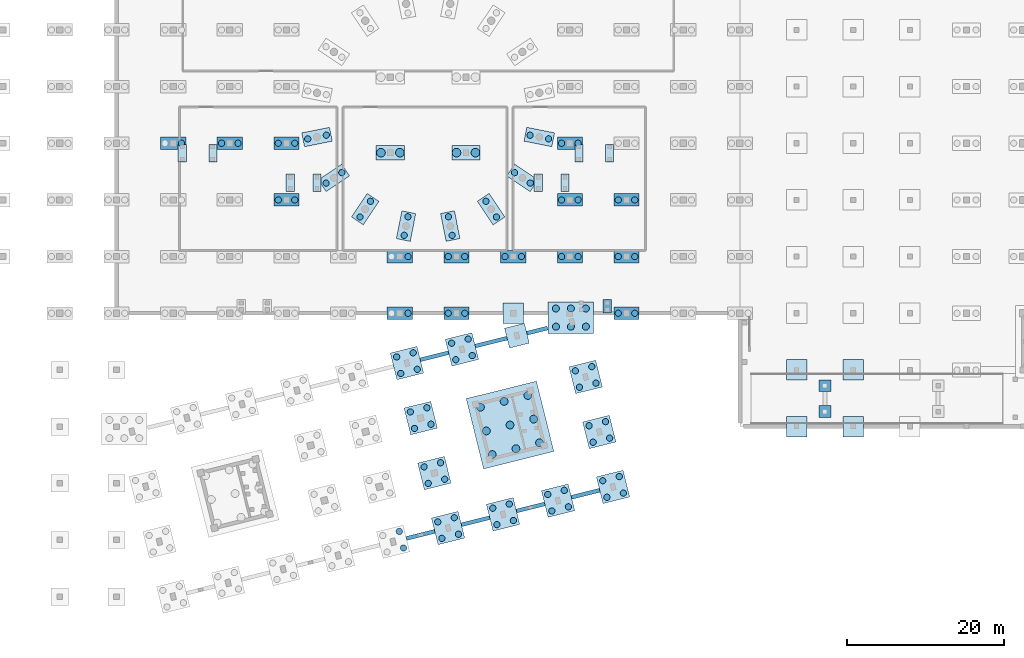
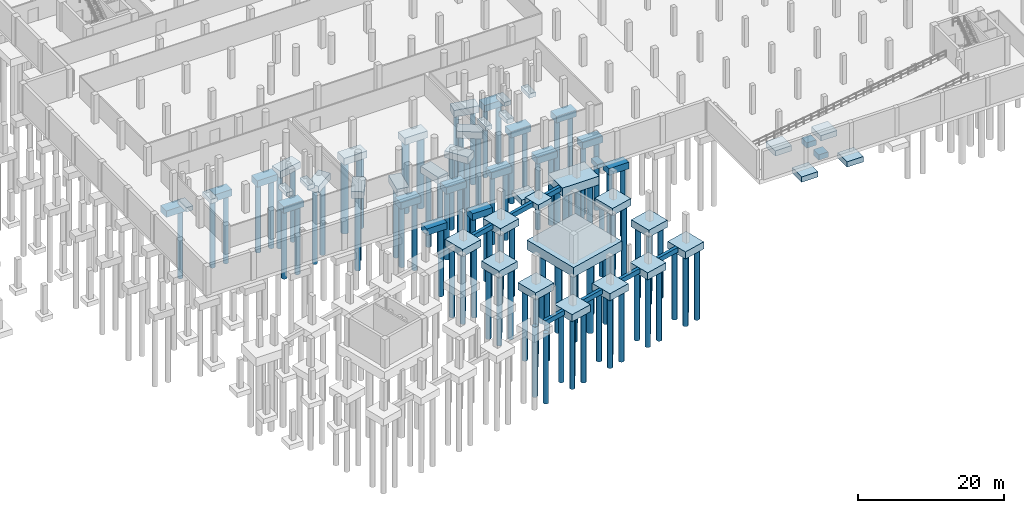
# One storey, part 2 of 19: 104 piles, 61 footings.
"""IFC4 building model written with IfcOpenShell, lengths in metres."""

from ifc_helpers import new_model, si_unit, direction, frame, origin, origin_2d, place, context, subcontext, project, spatial, rectangle, circle, extrude, material, material_profile, profile_set, type_object, element, save


model = new_model("IFC4")

# Units and contexts
model_context = context("Model", 3, precision=1e-05, world=origin(), true_north=direction((0.0, 1.0)))
body_context = subcontext(model_context, "Body", "Model", "MODEL_VIEW")
ifc_project = project(units=[si_unit("LENGTHUNIT", "METRE"), si_unit("AREAUNIT", "SQUARE_METRE"), si_unit("VOLUMEUNIT", "CUBIC_METRE"), si_unit("PLANEANGLEUNIT", "RADIAN"), si_unit("MASSUNIT", "GRAM", prefix="KILO")], contexts=[model_context])

# Site, building, storey
site_placement = place(None, origin())
site = spatial("IfcSite", under=ifc_project, at=site_placement, CompositionType="ELEMENT")
building_placement = place(site_placement, origin())
building = spatial("IfcBuilding", under=site, at=building_placement, Name="Qiaolan Assembly House", CompositionType="ELEMENT")
storey_placement = place(building_placement, frame((0.0, 0.0, -4.800048828125)))
storey = spatial("IfcBuildingStorey", under=building, at=storey_placement, Name="B1", CompositionType="ELEMENT", Elevation=-4.800048828125)

# Footings
ifc_material_1 = material(Name="Concrete C40/50", Category="concrete")
footing_type_1 = type_object("IfcFootingType", Name="FTG-CORE-RAFT-9200x9200", PredefinedType="PILE_CAP", material=ifc_material_1)
footing_1_placement = place(storey_placement, frame((78.797119140625, 21.801025390625, -1.60009765625), z_axis=(0.0, 0.0, 1.0), x_axis=(0.970295726276, 0.2419218956, 0.0)))
element("IfcFooting", 1, at=footing_1_placement, inside=storey, type_object=footing_type_1, Name="PC-01 pile cap CORE-D", PredefinedType="PILE_CAP", context=body_context, shape_type="SweptSolid", body=[
    extrude(rectangle(XDim=9.199951171875, YDim=9.199951171875, at=origin_2d()), origin(), (0.0, 0.0, 1.0), 1.60009765625),
])
ifc_material_profile_1 = material_profile(ifc_material_1, rectangle(XDim=0.5, YDim=0.800048828125, at=origin_2d()), Name="GF 500x800")
ifc_profile_set_1 = profile_set([ifc_material_profile_1], Name="Concrete C40/50")
footing_type_2 = type_object("IfcFootingType", Name="FTG-GB-500x800", PredefinedType="FOOTING_BEAM", material=ifc_profile_set_1)
footing_2_placement = place(storey_placement, frame((65.6455078125, 7.391357421875, -0.39990234375), z_axis=(0.970286175259, 0.241960199416, 0.0), x_axis=(-0.241960199416, 0.970286175259, 0.0)))
element("IfcFooting", 2, at=footing_2_placement, inside=storey, type_object=footing_type_2, Name="GF-02 ground tie beam SE-0-4", PredefinedType="FOOTING_BEAM", context=body_context, shape_type="SweptSolid", body=[
    extrude(rectangle(XDim=0.5, YDim=0.800048828125, at=origin_2d()), origin(), (0.0, 0.0, 1.0), 3.694091796875),
])
footing_3_placement = place(storey_placement, frame((72.631591796875, 9.13330078125, -0.39990234375), z_axis=(0.970301689805, 0.241897975934, 0.0), x_axis=(-0.241897975934, 0.970301689805, 0.0)))
element("IfcFooting", 3, at=footing_3_placement, inside=storey, type_object=footing_type_2, Name="GF-02 ground tie beam SE-0-5", PredefinedType="FOOTING_BEAM", context=body_context, shape_type="SweptSolid", body=[
    extrude(rectangle(XDim=0.5, YDim=0.800048828125, at=origin_2d()), origin(), (0.0, 0.0, 1.0), 3.69384765625),
])
footing_4_placement = place(storey_placement, frame((79.61767578125, 10.875, -0.39990234375), z_axis=(0.970286175259, 0.241960199416, 0.0), x_axis=(-0.241960199416, 0.970286175259, 0.0)))
element("IfcFooting", 4, at=footing_4_placement, inside=storey, type_object=footing_type_2, Name="GF-02 ground tie beam SE-0-6", PredefinedType="FOOTING_BEAM", context=body_context, shape_type="SweptSolid", body=[
    extrude(rectangle(XDim=0.5, YDim=0.800048828125, at=origin_2d()), origin(), (0.0, 0.0, 1.0), 3.694091796875),
])
footing_5_placement = place(storey_placement, frame((86.603759765625, 12.616943359375, -0.39990234375), z_axis=(0.970301689805, 0.241897975934, 0.0), x_axis=(-0.241897975934, 0.970301689805, 0.0)))
element("IfcFooting", 5, at=footing_5_placement, inside=storey, type_object=footing_type_2, Name="GF-02 ground tie beam SE-0-7", PredefinedType="FOOTING_BEAM", context=body_context, shape_type="SweptSolid", body=[
    extrude(rectangle(XDim=0.5, YDim=0.800048828125, at=origin_2d()), origin(), (0.0, 0.0, 1.0), 3.69384765625),
])
footing_6_placement = place(storey_placement, frame((67.406005859375, 30.091552734375, -0.39990234375), z_axis=(0.970286175259, 0.241960199416, 0.0), x_axis=(-0.241960199416, 0.970286175259, 0.0)))
element("IfcFooting", 6, at=footing_6_placement, inside=storey, type_object=footing_type_2, Name="GF-02 ground tie beam SE-21-5", PredefinedType="FOOTING_BEAM", context=body_context, shape_type="SweptSolid", body=[
    extrude(rectangle(XDim=0.5, YDim=0.800048828125, at=origin_2d()), origin(), (0.0, 0.0, 1.0), 3.694091796875),
])
footing_7_placement = place(storey_placement, frame((74.39208984375, 31.83349609375, -0.39990234375), z_axis=(0.970301702992, 0.241897923041, 0.0), x_axis=(-0.241897923041, 0.970301702992, 0.0)))
element("IfcFooting", 7, at=footing_7_placement, inside=storey, type_object=footing_type_2, Name="GF-02 ground tie beam SE-21-6", PredefinedType="FOOTING_BEAM", context=body_context, shape_type="SweptSolid", body=[
    extrude(rectangle(XDim=0.5, YDim=0.800048828125, at=origin_2d()), origin(), (0.0, 0.0, 1.0), 4.14404296875),
])
footing_8_placement = place(storey_placement, frame((80.941650390625, 33.466552734375, -0.39990234375), z_axis=(0.970301574361, 0.241898439004, 0.0), x_axis=(-0.241898439004, 0.970301574361, 0.0)))
element("IfcFooting", 8, at=footing_8_placement, inside=storey, type_object=footing_type_2, Name="GF-02 ground tie beam SE-21-7", PredefinedType="FOOTING_BEAM", context=body_context, shape_type="SweptSolid", body=[
    extrude(rectangle(XDim=0.5, YDim=0.800048828125, at=origin_2d()), origin(), (0.0, 0.0, 1.0), 2.704833984375),
])
footing_type_3 = type_object("IfcFootingType", Name="FTG-PAD-1500x1500", PredefinedType="PAD_FOOTING", material=ifc_material_1)
for number, where, z_axis, x_axis, name in (
    (9, (118.800048828125, 23.5, -0.89990234375), (0.0, 0.0, 1.0), (1.0, 0.0, 0.0), "PF-05 vehicle ramp pad footing 2"),
    (10, (118.800048828125, 26.800048828125, -0.89990234375), (0.0, 0.0, 1.0), (1.0, 0.0, 0.0), "PF-05 vehicle ramp pad footing 2"),
):
    element("IfcFooting", number, at=place(storey_placement, frame(where, z_axis=z_axis, x_axis=x_axis)), inside=storey, type_object=footing_type_3, Name=name, PredefinedType="PAD_FOOTING", context=body_context, shape_type="SweptSolid", body=[
        extrude(rectangle(XDim=1.5, YDim=1.5, at=origin_2d()), origin(), (0.0, 0.0, 1.0), 0.89990234375),
    ])
footing_type_4 = type_object("IfcFootingType", Name="FTG-PAD-2600x2600", PredefinedType="PAD_FOOTING", material=ifc_material_1)
for number, where, z_axis, x_axis, name in (
    (11, (79.677490234375, 33.1513671875, -0.89990234375), (0.0, 0.0, 1.0), (0.970295726276, 0.2419218956, 0.0), "PF-02 splayed pad footing SE-07-03"),
    (12, (79.199951171875, 36.0, -1.64990234375), (0.0, 0.0, 1.0), (1.0, 0.0, 0.0), "PF-02 hall south pad footing HL-08-00"),
    (13, (115.199951171875, 21.60009765625, -1.64990234375), (0.0, 0.0, 1.0), (1.0, 0.0, 0.0), "PF-02 cloister/carpark pad footing 0-0"),
    (14, (115.199951171875, 28.800048828125, -1.64990234375), (0.0, 0.0, 1.0), (1.0, 0.0, 0.0), "PF-02 cloister/carpark pad footing 0-1"),
    (15, (122.39990234375, 21.60009765625, -1.64990234375), (0.0, 0.0, 1.0), (1.0, 0.0, 0.0), "PF-02 cloister/carpark pad footing 1-0"),
    (16, (122.39990234375, 28.800048828125, -1.64990234375), (0.0, 0.0, 1.0), (1.0, 0.0, 0.0), "PF-02 cloister/carpark pad footing 1-1"),
):
    element("IfcFooting", number, at=place(storey_placement, frame(where, z_axis=z_axis, x_axis=x_axis)), inside=storey, type_object=footing_type_4, Name=name, PredefinedType="PAD_FOOTING", context=body_context, shape_type="SweptSolid", body=[
        extrude(rectangle(XDim=2.60009765625, YDim=2.60009765625, at=origin_2d()), origin(), (0.0, 0.0, 1.0), 0.89990234375),
    ])
footing_type_5 = type_object("IfcFootingType", Name="FTG-PAD-3000x2400", PredefinedType="PAD_FOOTING", material=ifc_material_1)
for number, where, z_axis, x_axis, name in (
    (17, (37.14990234375, 56.344970703125, -0.75), (0.0, 0.0, 1.0), (1.0, 0.0, 0.0), "PF-04 ceremonial stair combined footing ST-H1-1"),
    (18, (41.050048828125, 56.344970703125, -0.75), (0.0, 0.0, 1.0), (1.0, 0.0, 0.0), "PF-04 ceremonial stair combined footing ST-H1-2"),
    (19, (87.550048828125, 56.344970703125, -0.75), (0.0, 0.0, 1.0), (1.0, 0.0, 0.0), "PF-04 ceremonial stair combined footing ST-H2-1"),
    (20, (91.449951171875, 56.344970703125, -0.75), (0.0, 0.0, 1.0), (1.0, 0.0, 0.0), "PF-04 ceremonial stair combined footing ST-H2-2"),
    (21, (50.8798828125, 52.590087890625, -0.75), (0.0, 0.0, 1.0), (1.0, 0.0, 0.0), "PF-04 gallery stair combined footing ST-G1-1"),
    (22, (54.280029296875, 52.590087890625, -0.75), (0.0, 0.0, 1.0), (1.0, 0.0, 0.0), "PF-04 gallery stair combined footing ST-G1-2"),
    (23, (82.3798828125, 52.590087890625, -0.75), (0.0, 0.0, 1.0), (1.0, 0.0, 0.0), "PF-04 gallery stair combined footing ST-G2-1"),
    (24, (85.780029296875, 52.590087890625, -0.75), (0.0, 0.0, 1.0), (1.0, 0.0, 0.0), "PF-04 gallery stair combined footing ST-G2-2"),
):
    element("IfcFooting", number, at=place(storey_placement, frame(where, z_axis=z_axis, x_axis=x_axis)), inside=storey, type_object=footing_type_5, Name=name, PredefinedType="PAD_FOOTING", context=body_context, shape_type="SweptSolid", body=[
        extrude(rectangle(XDim=1.050048828125, YDim=2.25, at=origin_2d()), origin(), (0.0, 0.0, 1.0), 0.699951171875),
    ])
footing_9_placement = place(storey_placement, frame((91.14990234375, 36.8798828125, -0.75), z_axis=(0.0, 0.0, 1.0), x_axis=(1.0, 0.0, 0.0)))
element("IfcFooting", 25, at=footing_9_placement, inside=storey, type_object=footing_type_5, Name="PF-04 foyer stair combined footing F2-2", PredefinedType="PAD_FOOTING", context=body_context, shape_type="SweptSolid", body=[
    extrude(rectangle(XDim=1.050048828125, YDim=1.75, at=origin_2d()), origin(), (0.0, 0.0, 1.0), 0.699951171875),
])
footing_type_6 = type_object("IfcFootingType", Name="FTG-PC-2P-3200x1600", PredefinedType="PILE_CAP", material=ifc_material_1)
for number, where, z_axis, x_axis, name in (
    (26, (36.0, 57.60009765625, -1.85009765625), (0.0, 0.0, 1.0), (1.0, 0.0, 0.0), "PC-07 pile cap HL-02-03"),
    (27, (43.199951171875, 57.60009765625, -1.85009765625), (0.0, 0.0, 1.0), (1.0, 0.0, 0.0), "PC-07 pile cap HL-03-03"),
    (28, (50.39990234375, 50.39990234375, -1.85009765625), (0.0, 0.0, 1.0), (1.0, 0.0, 0.0), "PC-07 pile cap HL-04-02"),
    (29, (50.39990234375, 57.60009765625, -1.85009765625), (0.0, 0.0, 1.0), (1.0, 0.0, 0.0), "PC-07 pile cap HL-04-03"),
    (30, (64.800048828125, 36.0, -1.85009765625), (0.0, 0.0, 1.0), (1.0, 0.0, 0.0), "PC-07 pile cap HL-06-00"),
    (31, (64.800048828125, 43.199951171875, -1.85009765625), (0.0, 0.0, 1.0), (1.0, 0.0, 0.0), "PC-07 pile cap HL-06-01"),
    (32, (72.0, 36.0, -1.85009765625), (0.0, 0.0, 1.0), (1.0, 0.0, 0.0), "PC-07 pile cap HL-07-00"),
    (33, (72.0, 43.199951171875, -1.85009765625), (0.0, 0.0, 1.0), (1.0, 0.0, 0.0), "PC-07 pile cap HL-07-01"),
    (34, (79.199951171875, 43.199951171875, -1.85009765625), (0.0, 0.0, 1.0), (1.0, 0.0, 0.0), "PC-07 pile cap HL-08-01"),
    (35, (86.39990234375, 43.199951171875, -1.85009765625), (0.0, 0.0, 1.0), (1.0, 0.0, 0.0), "PC-07 pile cap HL-09-01"),
    (36, (86.39990234375, 50.39990234375, -1.85009765625), (0.0, 0.0, 1.0), (1.0, 0.0, 0.0), "PC-07 pile cap HL-09-02"),
    (37, (86.39990234375, 57.60009765625, -1.85009765625), (0.0, 0.0, 1.0), (1.0, 0.0, 0.0), "PC-07 pile cap HL-09-03"),
    (38, (93.60009765625, 36.0, -1.85009765625), (0.0, 0.0, 1.0), (1.0, 0.0, 0.0), "PC-07 pile cap HL-10-00"),
    (39, (93.60009765625, 43.199951171875, -1.85009765625), (0.0, 0.0, 1.0), (1.0, 0.0, 0.0), "PC-07 pile cap HL-10-01"),
    (40, (93.60009765625, 50.39990234375, -1.85009765625), (0.0, 0.0, 1.0), (1.0, 0.0, 0.0), "PC-07 pile cap HL-10-02"),
):
    element("IfcFooting", number, at=place(storey_placement, frame(where, z_axis=z_axis, x_axis=x_axis)), inside=storey, type_object=footing_type_6, Name=name, PredefinedType="PILE_CAP", context=body_context, shape_type="SweptSolid", body=[
        extrude(rectangle(XDim=3.199951171875, YDim=1.60009765625, at=origin_2d()), origin(), (0.0, 0.0, 1.0), 1.10009765625),
    ])
footing_type_7 = type_object("IfcFootingType", Name="FTG-PC-2P-3600x1800", PredefinedType="PILE_CAP", material=ifc_material_1)
for number, where, z_axis, x_axis, name in (
    (41, (54.276611328125, 58.390625, -1.89990234375), (0.0, 0.0, 1.0), (-0.98078527548, -0.195090346769, 0.0), "PC-06 pile cap DRUM-08"),
    (42, (56.4267578125, 53.19970703125, -1.89990234375), (0.0, 0.0, 1.0), (-0.831469614765, -0.555570229334, 0.0), "PC-06 pile cap DRUM-09"),
    (43, (60.39990234375, 49.226806640625, -1.89990234375), (0.0, 0.0, 1.0), (-0.555570229334, -0.831469614765, 0.0), "PC-06 pile cap DRUM-10"),
    (44, (65.5908203125, 47.07666015625, -1.89990234375), (0.0, 0.0, 1.0), (-0.195090346769, -0.98078527548, 0.0), "PC-06 pile cap DRUM-11"),
    (45, (71.209228515625, 47.07666015625, -1.89990234375), (0.0, 0.0, 1.0), (0.195090346769, -0.98078527548, 0.0), "PC-06 pile cap DRUM-12"),
    (46, (76.400146484375, 49.226806640625, -1.89990234375), (0.0, 0.0, 1.0), (0.555570229334, -0.831469614765, 0.0), "PC-06 pile cap DRUM-13"),
    (47, (80.373046875, 53.19970703125, -1.89990234375), (0.0, 0.0, 1.0), (0.831469614765, -0.555570229334, 0.0), "PC-06 pile cap DRUM-14"),
    (48, (82.523193359375, 58.390625, -1.89990234375), (0.0, 0.0, 1.0), (0.98078527548, -0.195090346769, 0.0), "PC-06 pile cap DRUM-15"),
    (49, (63.60009765625, 56.39990234375, -1.89990234375), (0.0, 0.0, 1.0), (1.0, 0.0, 0.0), "PC-06 pile cap UC-00"),
    (50, (73.199951171875, 56.39990234375, -1.89990234375), (0.0, 0.0, 1.0), (1.0, 0.0, 0.0), "PC-06 pile cap UC-01"),
):
    element("IfcFooting", number, at=place(storey_placement, frame(where, z_axis=z_axis, x_axis=x_axis)), inside=storey, type_object=footing_type_7, Name=name, PredefinedType="PILE_CAP", context=body_context, shape_type="SweptSolid", body=[
        extrude(rectangle(XDim=3.60009765625, YDim=1.800048828125, at=origin_2d()), origin(), (0.0, 0.0, 1.0), 1.14990234375),
    ])
footing_type_8 = type_object("IfcFootingType", Name="FTG-PC-4P-3500x3500", PredefinedType="PILE_CAP", material=ifc_material_1)
for number, where, z_axis, x_axis, name in (
    (51, (70.9306640625, 8.709228515625, -1.19970703125), (0.0, 0.0, 1.0), (0.970295726276, 0.2419218956, 0.0), "PC-05 pile cap SE-05-00"),
    (52, (69.188720703125, 15.6953125, -1.19970703125), (0.0, 0.0, 1.0), (0.970295726276, 0.2419218956, 0.0), "PC-05 pile cap SE-05-01"),
    (53, (67.447021484375, 22.681396484375, -1.19970703125), (0.0, 0.0, 1.0), (0.970295726276, 0.2419218956, 0.0), "PC-05 pile cap SE-05-02"),
    (54, (65.705078125, 29.66748046875, -1.19970703125), (0.0, 0.0, 1.0), (0.970295726276, 0.2419218956, 0.0), "PC-05 pile cap SE-05-03"),
    (55, (77.916748046875, 10.450927734375, -1.19970703125), (0.0, 0.0, 1.0), (0.970295726276, 0.2419218956, 0.0), "PC-05 pile cap SE-06-00"),
    (56, (72.691162109375, 31.409423828125, -1.19970703125), (0.0, 0.0, 1.0), (0.970295726276, 0.2419218956, 0.0), "PC-05 pile cap SE-06-03"),
    (57, (84.90283203125, 12.19287109375, -1.19970703125), (0.0, 0.0, 1.0), (0.970295726276, 0.2419218956, 0.0), "PC-05 pile cap SE-07-00"),
    (58, (91.888916015625, 13.934814453125, -1.19970703125), (0.0, 0.0, 1.0), (0.970295726276, 0.2419218956, 0.0), "PC-05 pile cap SE-08-00"),
    (59, (90.147216796875, 20.9208984375, -1.19970703125), (0.0, 0.0, 1.0), (0.970295726276, 0.2419218956, 0.0), "PC-05 pile cap SE-08-01"),
    (60, (88.4052734375, 27.906982421875, -1.19970703125), (0.0, 0.0, 1.0), (0.970295726276, 0.2419218956, 0.0), "PC-05 pile cap SE-08-02"),
):
    element("IfcFooting", number, at=place(storey_placement, frame(where, z_axis=z_axis, x_axis=x_axis)), inside=storey, type_object=footing_type_8, Name=name, PredefinedType="PILE_CAP", context=body_context, shape_type="SweptSolid", body=[
        extrude(rectangle(XDim=3.5, YDim=3.5, at=origin_2d()), origin(), (0.0, 0.0, 1.0), 1.199951171875),
    ])
footing_type_9 = type_object("IfcFootingType", Name="FTG-PC-6P-5800x4000", PredefinedType="PILE_CAP", material=ifc_material_1)
footing_10_placement = place(storey_placement, frame((86.530029296875, 35.449951171875, -1.44970703125), z_axis=(0.0, 0.0, 1.0), x_axis=(1.0, 0.0, 0.0)))
element("IfcFooting", 61, at=footing_10_placement, inside=storey, type_object=footing_type_9, Name="PC-02 pile cap COMB-HL09-SE08", PredefinedType="PILE_CAP", context=body_context, shape_type="SweptSolid", body=[
    extrude(rectangle(XDim=5.800048828125, YDim=4.0, at=origin_2d()), origin(), (0.0, 0.0, 1.0), 1.449951171875),
])

# Piles
ifc_material_2 = material(Name="Concrete C45/55", Category="concrete")
ifc_material_profile_2 = material_profile(ifc_material_2, circle(Radius=0.5, at=origin_2d()), Name="PILE D1000")
ifc_profile_set_2 = profile_set([ifc_material_profile_2], Name="Concrete C45/55")
pile_type_1 = type_object("IfcPileType", Name="PILE-BORED-D1000", PredefinedType="BORED", material=ifc_profile_set_2)
for number, where, z_axis, x_axis, name in (
    (62, (76.5390625, 18.043212890625, -1.5), (0.0, 0.0, -1.0), (1.0, 0.0, 0.0), "BP-03 rock-socketed pile CORE-D-1"),
    (63, (75.7890625, 21.05126953125, -1.5), (0.0, 0.0, -1.0), (1.0, 0.0, 0.0), "BP-03 rock-socketed pile CORE-D-2"),
    (64, (75.039306640625, 24.05908203125, -1.5), (0.0, 0.0, -1.0), (1.0, 0.0, 0.0), "BP-03 rock-socketed pile CORE-D-3"),
    (65, (79.547119140625, 18.793212890625, -1.5), (0.0, 0.0, -1.0), (1.0, 0.0, 0.0), "BP-03 rock-socketed pile CORE-D-4"),
    (66, (78.797119140625, 21.801025390625, -1.5), (0.0, 0.0, -1.0), (1.0, 0.0, 0.0), "BP-03 rock-socketed pile CORE-D-5"),
    (67, (78.047119140625, 24.80908203125, -1.5), (0.0, 0.0, -1.0), (1.0, 0.0, 0.0), "BP-03 rock-socketed pile CORE-D-6"),
    (68, (82.554931640625, 19.543212890625, -1.5), (0.0, 0.0, -1.0), (1.0, 0.0, 0.0), "BP-03 rock-socketed pile CORE-D-7"),
    (69, (81.804931640625, 22.551025390625, -1.5), (0.0, 0.0, -1.0), (1.0, 0.0, 0.0), "BP-03 rock-socketed pile CORE-D-8"),
    (70, (81.054931640625, 25.55908203125, -1.5), (0.0, 0.0, -1.0), (1.0, 0.0, 0.0), "BP-03 rock-socketed pile CORE-D-9"),
):
    element("IfcPile", number, at=place(storey_placement, frame(where, z_axis=z_axis, x_axis=x_axis)), inside=storey, type_object=pile_type_1, Name=name, PredefinedType="BORED", context=body_context, shape_type="SweptSolid", body=[
        extrude(circle(Radius=0.5, at=origin_2d()), origin(), (0.0, 0.0, 1.0), 12.199951171875),
    ])
ifc_material_profile_3 = material_profile(ifc_material_2, circle(Radius=0.550048828125, at=origin_2d()), Name="PILE D1100")
ifc_profile_set_3 = profile_set([ifc_material_profile_3], Name="Concrete C45/55")
pile_type_2 = type_object("IfcPileType", Name="PILE-BORED-D1100", PredefinedType="BORED", material=ifc_profile_set_3)
for number, where, z_axis, x_axis, name in (
    (71, (62.39990234375, 56.39990234375, -1.800048828125), (0.0, 0.0, -1.0), (1.0, 0.0, 0.0), "BP-04 rock-socketed pile UC-00-1"),
    (72, (64.800048828125, 56.39990234375, -1.800048828125), (0.0, 0.0, -1.0), (1.0, 0.0, 0.0), "BP-04 rock-socketed pile UC-00-2"),
    (73, (72.0, 56.39990234375, -1.800048828125), (0.0, 0.0, -1.0), (1.0, 0.0, 0.0), "BP-04 rock-socketed pile UC-01-1"),
    (74, (74.39990234375, 56.39990234375, -1.800048828125), (0.0, 0.0, -1.0), (1.0, 0.0, 0.0), "BP-04 rock-socketed pile UC-01-2"),
):
    element("IfcPile", number, at=place(storey_placement, frame(where, z_axis=z_axis, x_axis=x_axis)), inside=storey, type_object=pile_type_2, Name=name, PredefinedType="BORED", context=body_context, shape_type="SweptSolid", body=[
        extrude(circle(Radius=0.550048828125, at=origin_2d()), origin(), (0.0, 0.0, 1.0), 12.0),
    ])
ifc_material_profile_4 = material_profile(ifc_material_2, circle(Radius=0.39990234375, at=origin_2d()), Name="PILE D800")
ifc_profile_set_4 = profile_set([ifc_material_profile_4], Name="Concrete C45/55")
pile_type_3 = type_object("IfcPileType", Name="PILE-BORED-D800", PredefinedType="BORED", material=ifc_profile_set_4)
for number, where, z_axis, x_axis, name in (
    (75, (65.253662109375, 6.1806640625, -1.099853515625), (0.0, 0.0, -1.0), (1.0, 0.0, 0.0), "BP-01 rock-socketed pile SE-04-00-2"),
    (76, (64.731201171875, 8.276611328125, -1.099853515625), (0.0, 0.0, -1.0), (1.0, 0.0, 0.0), "BP-01 rock-socketed pile SE-04-00-3"),
    (77, (70.14404296875, 7.39990234375, -1.099853515625), (0.0, 0.0, -1.0), (1.0, 0.0, 0.0), "BP-01 rock-socketed pile SE-05-00-1"),
    (78, (72.23974609375, 7.922607421875, -1.099853515625), (0.0, 0.0, -1.0), (1.0, 0.0, 0.0), "BP-01 rock-socketed pile SE-05-00-2"),
    (79, (71.71728515625, 10.018310546875, -1.099853515625), (0.0, 0.0, -1.0), (1.0, 0.0, 0.0), "BP-01 rock-socketed pile SE-05-00-3"),
    (80, (69.621337890625, 9.495849609375, -1.099853515625), (0.0, 0.0, -1.0), (1.0, 0.0, 0.0), "BP-01 rock-socketed pile SE-05-00-4"),
    (81, (68.402099609375, 14.38623046875, -1.099853515625), (0.0, 0.0, -1.0), (1.0, 0.0, 0.0), "BP-01 rock-socketed pile SE-05-01-1"),
    (82, (70.498046875, 14.90869140625, -1.099853515625), (0.0, 0.0, -1.0), (1.0, 0.0, 0.0), "BP-01 rock-socketed pile SE-05-01-2"),
    (83, (69.975341796875, 17.00439453125, -1.099853515625), (0.0, 0.0, -1.0), (1.0, 0.0, 0.0), "BP-01 rock-socketed pile SE-05-01-3"),
    (84, (67.879638671875, 16.48193359375, -1.099853515625), (0.0, 0.0, -1.0), (1.0, 0.0, 0.0), "BP-01 rock-socketed pile SE-05-01-4"),
    (85, (66.660400390625, 21.372314453125, -1.099853515625), (0.0, 0.0, -1.0), (1.0, 0.0, 0.0), "BP-01 rock-socketed pile SE-05-02-1"),
    (86, (68.756103515625, 21.894775390625, -1.099853515625), (0.0, 0.0, -1.0), (1.0, 0.0, 0.0), "BP-01 rock-socketed pile SE-05-02-2"),
    (87, (68.233642578125, 23.99072265625, -1.099853515625), (0.0, 0.0, -1.0), (1.0, 0.0, 0.0), "BP-01 rock-socketed pile SE-05-02-3"),
    (88, (66.1376953125, 23.468017578125, -1.099853515625), (0.0, 0.0, -1.0), (1.0, 0.0, 0.0), "BP-01 rock-socketed pile SE-05-02-4"),
    (89, (64.91845703125, 28.3583984375, -1.099853515625), (0.0, 0.0, -1.0), (1.0, 0.0, 0.0), "BP-01 rock-socketed pile SE-05-03-1"),
    (90, (67.014404296875, 28.880859375, -1.099853515625), (0.0, 0.0, -1.0), (1.0, 0.0, 0.0), "BP-01 rock-socketed pile SE-05-03-2"),
    (91, (66.49169921875, 30.976806640625, -1.099853515625), (0.0, 0.0, -1.0), (1.0, 0.0, 0.0), "BP-01 rock-socketed pile SE-05-03-3"),
    (92, (64.39599609375, 30.4541015625, -1.099853515625), (0.0, 0.0, -1.0), (1.0, 0.0, 0.0), "BP-01 rock-socketed pile SE-05-03-4"),
    (93, (77.130126953125, 9.141845703125, -1.099853515625), (0.0, 0.0, -1.0), (1.0, 0.0, 0.0), "BP-01 rock-socketed pile SE-06-00-1"),
    (94, (79.22607421875, 9.664306640625, -1.099853515625), (0.0, 0.0, -1.0), (1.0, 0.0, 0.0), "BP-01 rock-socketed pile SE-06-00-2"),
    (95, (78.703369140625, 11.76025390625, -1.099853515625), (0.0, 0.0, -1.0), (1.0, 0.0, 0.0), "BP-01 rock-socketed pile SE-06-00-3"),
    (96, (76.607666015625, 11.237548828125, -1.099853515625), (0.0, 0.0, -1.0), (1.0, 0.0, 0.0), "BP-01 rock-socketed pile SE-06-00-4"),
    (97, (71.904541015625, 30.10009765625, -1.099853515625), (0.0, 0.0, -1.0), (1.0, 0.0, 0.0), "BP-01 rock-socketed pile SE-06-03-1"),
    (98, (74.00048828125, 30.622802734375, -1.099853515625), (0.0, 0.0, -1.0), (1.0, 0.0, 0.0), "BP-01 rock-socketed pile SE-06-03-2"),
    (99, (73.47802734375, 32.718505859375, -1.099853515625), (0.0, 0.0, -1.0), (1.0, 0.0, 0.0), "BP-01 rock-socketed pile SE-06-03-3"),
    (100, (71.382080078125, 32.196044921875, -1.099853515625), (0.0, 0.0, -1.0), (1.0, 0.0, 0.0), "BP-01 rock-socketed pile SE-06-03-4"),
    (101, (84.1162109375, 10.8837890625, -1.099853515625), (0.0, 0.0, -1.0), (1.0, 0.0, 0.0), "BP-01 rock-socketed pile SE-07-00-1"),
    (102, (86.212158203125, 11.40625, -1.099853515625), (0.0, 0.0, -1.0), (1.0, 0.0, 0.0), "BP-01 rock-socketed pile SE-07-00-2"),
    (103, (85.689453125, 13.501953125, -1.099853515625), (0.0, 0.0, -1.0), (1.0, 0.0, 0.0), "BP-01 rock-socketed pile SE-07-00-3"),
    (104, (83.59375, 12.9794921875, -1.099853515625), (0.0, 0.0, -1.0), (1.0, 0.0, 0.0), "BP-01 rock-socketed pile SE-07-00-4"),
    (105, (91.102294921875, 12.62548828125, -1.099853515625), (0.0, 0.0, -1.0), (1.0, 0.0, 0.0), "BP-01 rock-socketed pile SE-08-00-1"),
    (106, (93.1982421875, 13.14794921875, -1.099853515625), (0.0, 0.0, -1.0), (1.0, 0.0, 0.0), "BP-01 rock-socketed pile SE-08-00-2"),
    (107, (92.67578125, 15.243896484375, -1.099853515625), (0.0, 0.0, -1.0), (1.0, 0.0, 0.0), "BP-01 rock-socketed pile SE-08-00-3"),
    (108, (90.579833984375, 14.721435546875, -1.099853515625), (0.0, 0.0, -1.0), (1.0, 0.0, 0.0), "BP-01 rock-socketed pile SE-08-00-4"),
    (109, (89.360595703125, 19.611572265625, -1.099853515625), (0.0, 0.0, -1.0), (1.0, 0.0, 0.0), "BP-01 rock-socketed pile SE-08-01-1"),
    (110, (91.456298828125, 20.13427734375, -1.099853515625), (0.0, 0.0, -1.0), (1.0, 0.0, 0.0), "BP-01 rock-socketed pile SE-08-01-2"),
    (111, (90.933837890625, 22.22998046875, -1.099853515625), (0.0, 0.0, -1.0), (1.0, 0.0, 0.0), "BP-01 rock-socketed pile SE-08-01-3"),
    (112, (88.837890625, 21.70751953125, -1.099853515625), (0.0, 0.0, -1.0), (1.0, 0.0, 0.0), "BP-01 rock-socketed pile SE-08-01-4"),
    (113, (87.61865234375, 26.59765625, -1.099853515625), (0.0, 0.0, -1.0), (1.0, 0.0, 0.0), "BP-01 rock-socketed pile SE-08-02-1"),
    (114, (89.714599609375, 27.120361328125, -1.099853515625), (0.0, 0.0, -1.0), (1.0, 0.0, 0.0), "BP-01 rock-socketed pile SE-08-02-2"),
    (115, (89.19189453125, 29.216064453125, -1.099853515625), (0.0, 0.0, -1.0), (1.0, 0.0, 0.0), "BP-01 rock-socketed pile SE-08-02-3"),
    (116, (87.09619140625, 28.693603515625, -1.099853515625), (0.0, 0.0, -1.0), (1.0, 0.0, 0.0), "BP-01 rock-socketed pile SE-08-02-4"),
):
    element("IfcPile", number, at=place(storey_placement, frame(where, z_axis=z_axis, x_axis=x_axis)), inside=storey, type_object=pile_type_3, Name=name, PredefinedType="BORED", context=body_context, shape_type="SweptSolid", body=[
        extrude(circle(Radius=0.39990234375, at=origin_2d()), origin(), (0.0, 0.0, 1.0), 11.800048828125),
    ])
for number, where, z_axis, x_axis, name in (
    (117, (55.45361328125, 58.624755859375, -1.800048828125), (0.0, 0.0, -1.0), (1.0, 0.0, 0.0), "BP-01 rock-socketed pile DRUM-08-1"),
    (118, (53.099853515625, 58.156494140625, -1.800048828125), (0.0, 0.0, -1.0), (1.0, 0.0, 0.0), "BP-01 rock-socketed pile DRUM-08-2"),
    (119, (57.424560546875, 53.866455078125, -1.800048828125), (0.0, 0.0, -1.0), (1.0, 0.0, 0.0), "BP-01 rock-socketed pile DRUM-09-1"),
    (120, (55.428955078125, 52.533203125, -1.800048828125), (0.0, 0.0, -1.0), (1.0, 0.0, 0.0), "BP-01 rock-socketed pile DRUM-09-2"),
    (121, (61.06640625, 50.224609375, -1.800048828125), (0.0, 0.0, -1.0), (1.0, 0.0, 0.0), "BP-01 rock-socketed pile DRUM-10-1"),
    (122, (59.733154296875, 48.22900390625, -1.800048828125), (0.0, 0.0, -1.0), (1.0, 0.0, 0.0), "BP-01 rock-socketed pile DRUM-10-2"),
    (123, (65.82470703125, 48.253662109375, -1.800048828125), (0.0, 0.0, -1.0), (1.0, 0.0, 0.0), "BP-01 rock-socketed pile DRUM-11-1"),
    (124, (65.356689453125, 45.899658203125, -1.800048828125), (0.0, 0.0, -1.0), (1.0, 0.0, 0.0), "BP-01 rock-socketed pile DRUM-11-2"),
    (125, (70.97509765625, 48.253662109375, -1.800048828125), (0.0, 0.0, -1.0), (1.0, 0.0, 0.0), "BP-01 rock-socketed pile DRUM-12-1"),
    (126, (71.443359375, 45.899658203125, -1.800048828125), (0.0, 0.0, -1.0), (1.0, 0.0, 0.0), "BP-01 rock-socketed pile DRUM-12-2"),
    (127, (75.733642578125, 50.224609375, -1.800048828125), (0.0, 0.0, -1.0), (1.0, 0.0, 0.0), "BP-01 rock-socketed pile DRUM-13-1"),
    (128, (77.06689453125, 48.22900390625, -1.800048828125), (0.0, 0.0, -1.0), (1.0, 0.0, 0.0), "BP-01 rock-socketed pile DRUM-13-2"),
    (129, (79.37548828125, 53.866455078125, -1.800048828125), (0.0, 0.0, -1.0), (1.0, 0.0, 0.0), "BP-01 rock-socketed pile DRUM-14-1"),
    (130, (81.370849609375, 52.533203125, -1.800048828125), (0.0, 0.0, -1.0), (1.0, 0.0, 0.0), "BP-01 rock-socketed pile DRUM-14-2"),
    (131, (81.346435546875, 58.624755859375, -1.800048828125), (0.0, 0.0, -1.0), (1.0, 0.0, 0.0), "BP-01 rock-socketed pile DRUM-15-1"),
    (132, (83.7001953125, 58.156494140625, -1.800048828125), (0.0, 0.0, -1.0), (1.0, 0.0, 0.0), "BP-01 rock-socketed pile DRUM-15-2"),
):
    element("IfcPile", number, at=place(storey_placement, frame(where, z_axis=z_axis, x_axis=x_axis)), inside=storey, type_object=pile_type_3, Name=name, PredefinedType="BORED", context=body_context, shape_type="SweptSolid", body=[
        extrude(circle(Radius=0.39990234375, at=origin_2d()), origin(), (0.0, 0.0, 1.0), 12.39990234375),
    ])
for number, where, z_axis, x_axis, name in (
    (133, (37.050048828125, 57.60009765625, -1.75), (0.0, 0.0, -1.0), (1.0, 0.0, 0.0), "BP-01 rock-socketed pile HL-02-03-2"),
    (134, (42.14990234375, 57.60009765625, -1.75), (0.0, 0.0, -1.0), (1.0, 0.0, 0.0), "BP-01 rock-socketed pile HL-03-03-1"),
    (135, (44.25, 57.60009765625, -1.75), (0.0, 0.0, -1.0), (1.0, 0.0, 0.0), "BP-01 rock-socketed pile HL-03-03-2"),
    (136, (49.35009765625, 50.39990234375, -1.75), (0.0, 0.0, -1.0), (1.0, 0.0, 0.0), "BP-01 rock-socketed pile HL-04-02-1"),
    (137, (51.449951171875, 50.39990234375, -1.75), (0.0, 0.0, -1.0), (1.0, 0.0, 0.0), "BP-01 rock-socketed pile HL-04-02-2"),
    (138, (49.35009765625, 57.60009765625, -1.75), (0.0, 0.0, -1.0), (1.0, 0.0, 0.0), "BP-01 rock-socketed pile HL-04-03-1"),
    (139, (51.449951171875, 57.60009765625, -1.75), (0.0, 0.0, -1.0), (1.0, 0.0, 0.0), "BP-01 rock-socketed pile HL-04-03-2"),
    (140, (65.85009765625, 36.0, -1.75), (0.0, 0.0, -1.0), (1.0, 0.0, 0.0), "BP-01 rock-socketed pile HL-06-00-2"),
    (141, (65.85009765625, 43.199951171875, -1.75), (0.0, 0.0, -1.0), (1.0, 0.0, 0.0), "BP-01 rock-socketed pile HL-06-01-2"),
    (142, (70.949951171875, 36.0, -1.75), (0.0, 0.0, -1.0), (1.0, 0.0, 0.0), "BP-01 rock-socketed pile HL-07-00-1"),
    (143, (73.050048828125, 36.0, -1.75), (0.0, 0.0, -1.0), (1.0, 0.0, 0.0), "BP-01 rock-socketed pile HL-07-00-2"),
    (144, (70.949951171875, 43.199951171875, -1.75), (0.0, 0.0, -1.0), (1.0, 0.0, 0.0), "BP-01 rock-socketed pile HL-07-01-1"),
    (145, (73.050048828125, 43.199951171875, -1.75), (0.0, 0.0, -1.0), (1.0, 0.0, 0.0), "BP-01 rock-socketed pile HL-07-01-2"),
    (146, (78.14990234375, 43.199951171875, -1.75), (0.0, 0.0, -1.0), (1.0, 0.0, 0.0), "BP-01 rock-socketed pile HL-08-01-1"),
    (147, (80.25, 43.199951171875, -1.75), (0.0, 0.0, -1.0), (1.0, 0.0, 0.0), "BP-01 rock-socketed pile HL-08-01-2"),
    (148, (85.35009765625, 43.199951171875, -1.75), (0.0, 0.0, -1.0), (1.0, 0.0, 0.0), "BP-01 rock-socketed pile HL-09-01-1"),
    (149, (87.449951171875, 43.199951171875, -1.75), (0.0, 0.0, -1.0), (1.0, 0.0, 0.0), "BP-01 rock-socketed pile HL-09-01-2"),
    (150, (85.35009765625, 50.39990234375, -1.75), (0.0, 0.0, -1.0), (1.0, 0.0, 0.0), "BP-01 rock-socketed pile HL-09-02-1"),
    (151, (87.449951171875, 50.39990234375, -1.75), (0.0, 0.0, -1.0), (1.0, 0.0, 0.0), "BP-01 rock-socketed pile HL-09-02-2"),
    (152, (85.35009765625, 57.60009765625, -1.75), (0.0, 0.0, -1.0), (1.0, 0.0, 0.0), "BP-01 rock-socketed pile HL-09-03-1"),
    (153, (87.449951171875, 57.60009765625, -1.75), (0.0, 0.0, -1.0), (1.0, 0.0, 0.0), "BP-01 rock-socketed pile HL-09-03-2"),
    (154, (92.550048828125, 36.0, -1.75), (0.0, 0.0, -1.0), (1.0, 0.0, 0.0), "BP-01 rock-socketed pile HL-10-00-1"),
    (155, (94.64990234375, 36.0, -1.75), (0.0, 0.0, -1.0), (1.0, 0.0, 0.0), "BP-01 rock-socketed pile HL-10-00-2"),
    (156, (92.550048828125, 43.199951171875, -1.75), (0.0, 0.0, -1.0), (1.0, 0.0, 0.0), "BP-01 rock-socketed pile HL-10-01-1"),
    (157, (94.64990234375, 43.199951171875, -1.75), (0.0, 0.0, -1.0), (1.0, 0.0, 0.0), "BP-01 rock-socketed pile HL-10-01-2"),
    (158, (92.550048828125, 50.39990234375, -1.75), (0.0, 0.0, -1.0), (1.0, 0.0, 0.0), "BP-01 rock-socketed pile HL-10-02-1"),
    (159, (94.64990234375, 50.39990234375, -1.75), (0.0, 0.0, -1.0), (1.0, 0.0, 0.0), "BP-01 rock-socketed pile HL-10-02-2"),
):
    element("IfcPile", number, at=place(storey_placement, frame(where, z_axis=z_axis, x_axis=x_axis)), inside=storey, type_object=pile_type_3, Name=name, PredefinedType="BORED", context=body_context, shape_type="SweptSolid", body=[
        extrude(circle(Radius=0.39990234375, at=origin_2d()), origin(), (0.0, 0.0, 1.0), 11.5),
    ])
ifc_material_profile_5 = material_profile(ifc_material_2, circle(Radius=0.449951171875, at=origin_2d()), Name="PILE D900")
ifc_profile_set_5 = profile_set([ifc_material_profile_5], Name="Concrete C45/55")
pile_type_4 = type_object("IfcPileType", Name="PILE-BORED-D900", PredefinedType="BORED", material=ifc_profile_set_5)
for number, where, z_axis, x_axis, name in (
    (160, (84.6298828125, 34.300048828125, -1.349853515625), (0.0, 0.0, -1.0), (1.0, 0.0, 0.0), "BP-02 rock-socketed pile COMB-HL09-SE08-1"),
    (161, (86.530029296875, 34.300048828125, -1.349853515625), (0.0, 0.0, -1.0), (1.0, 0.0, 0.0), "BP-02 rock-socketed pile COMB-HL09-SE08-2"),
    (162, (88.429931640625, 34.300048828125, -1.349853515625), (0.0, 0.0, -1.0), (1.0, 0.0, 0.0), "BP-02 rock-socketed pile COMB-HL09-SE08-3"),
    (163, (84.6298828125, 36.60009765625, -1.349853515625), (0.0, 0.0, -1.0), (1.0, 0.0, 0.0), "BP-02 rock-socketed pile COMB-HL09-SE08-4"),
    (164, (86.530029296875, 36.60009765625, -1.349853515625), (0.0, 0.0, -1.0), (1.0, 0.0, 0.0), "BP-02 rock-socketed pile COMB-HL09-SE08-5"),
    (165, (88.429931640625, 36.60009765625, -1.349853515625), (0.0, 0.0, -1.0), (1.0, 0.0, 0.0), "BP-02 rock-socketed pile COMB-HL09-SE08-6"),
):
    element("IfcPile", number, at=place(storey_placement, frame(where, z_axis=z_axis, x_axis=x_axis)), inside=storey, type_object=pile_type_4, Name=name, PredefinedType="BORED", context=body_context, shape_type="SweptSolid", body=[
        extrude(circle(Radius=0.449951171875, at=origin_2d()), origin(), (0.0, 0.0, 1.0), 12.199951171875),
    ])

save(model, "model.ifc")
